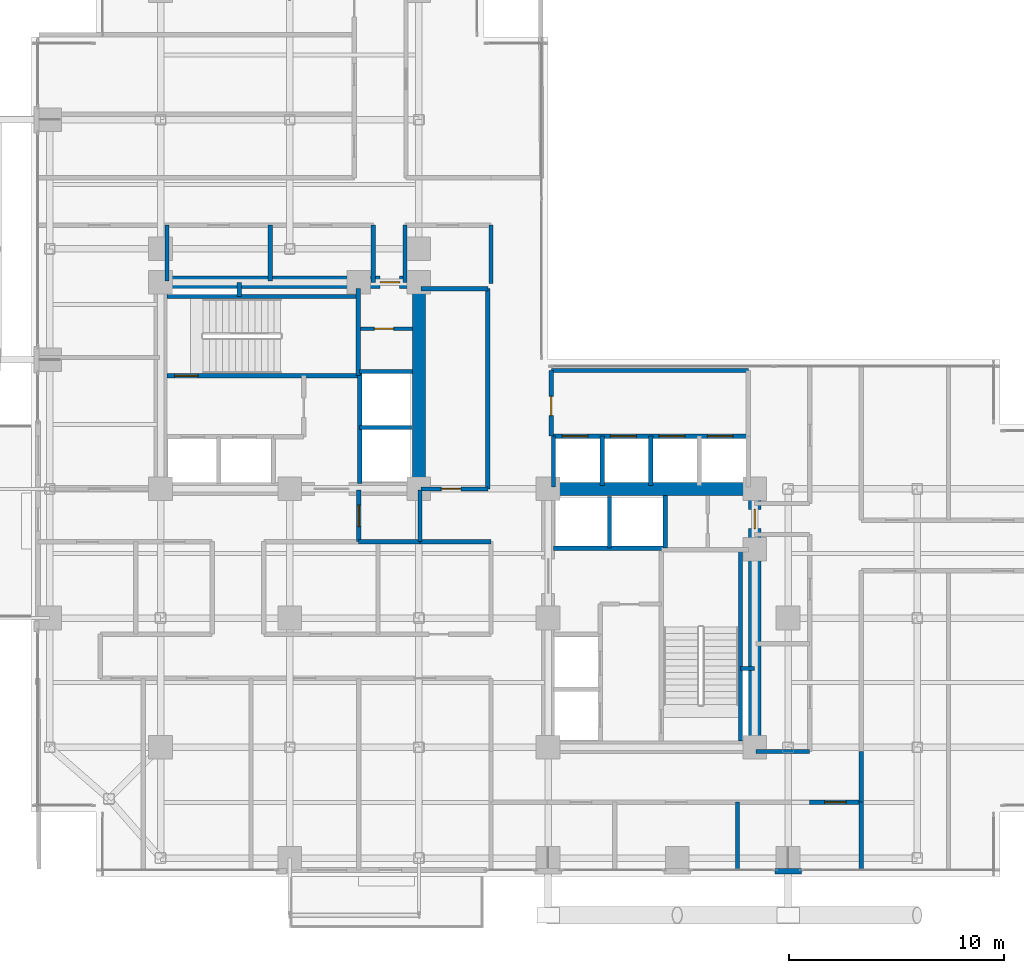
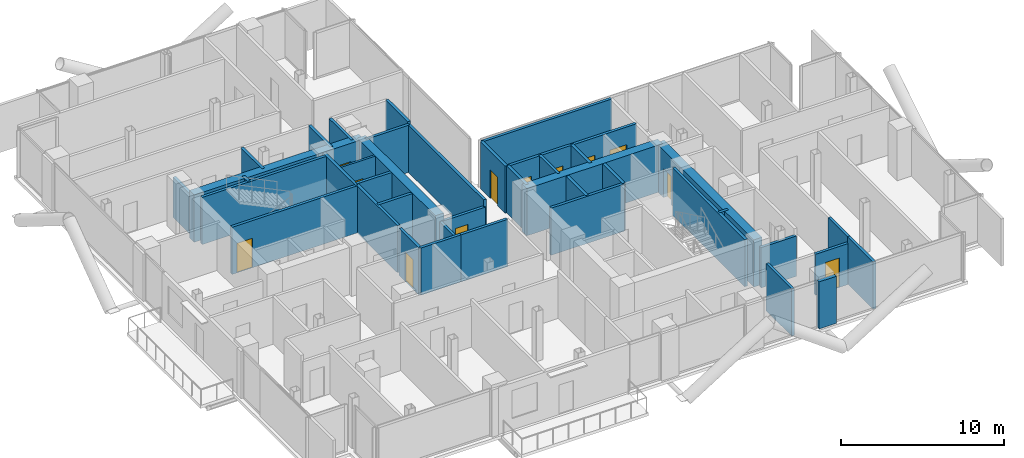
# One storey, part 20 of 24: 41 walls, 12 doors, 12 openings.
"""IFC4 building model written with IfcOpenShell, lengths in metres."""

from ifc_helpers import new_model, si_unit, direction, frame, frame_2d, origin, place, context, subcontext, project, spatial, rectangle, extrude, material, layer, layer_set, type_object, element, fill, save


model = new_model("IFC4")

# Units and contexts
model_context = context("Model", 3, precision=1e-05, world=origin(), true_north=direction((0.0, 1.0)))
body_context = subcontext(model_context, "Body", "Model", "MODEL_VIEW")
ifc_project = project(units=[si_unit("LENGTHUNIT", "METRE"), si_unit("AREAUNIT", "SQUARE_METRE"), si_unit("VOLUMEUNIT", "CUBIC_METRE"), si_unit("PLANEANGLEUNIT", "RADIAN"), si_unit("MASSUNIT", "GRAM", prefix="KILO"), si_unit("THERMODYNAMICTEMPERATUREUNIT", "KELVIN"), si_unit("POWERUNIT", "WATT")], contexts=[model_context])

# Site, building, storey
site_placement = place(None, origin())
site = spatial("IfcSite", under=ifc_project, at=site_placement, CompositionType="ELEMENT")
building_placement = place(site_placement, origin())
building = spatial("IfcBuilding", under=site, at=building_placement, Name="Svarakhadi Broadcast Tower", CompositionType="ELEMENT")
storey_placement = place(building_placement, frame((0.0, 0.0, 115.64990234375)))
storey = spatial("IfcBuildingStorey", under=building, at=storey_placement, Name="L27", CompositionType="ELEMENT", Elevation=115.64990234375)

# Walls
ifc_material_1 = material(Name="Double-Stud Acoustic Studio Partition STC-62", Category="gypsum")
ifc_layer_1 = layer(ifc_material_1, 0.199951171875)
ifc_layer_set_1 = layer_set([ifc_layer_1], Name="Double-Stud Acoustic Studio Partition STC-62")
wall_type_1 = type_object("IfcWallType", Name="Wall_Acoust_200", PredefinedType="PARTITIONING", material=ifc_layer_set_1)
for number, where, z_axis, x_axis, name in (
    (1, (32.800048828125, 0.300048828125, 0.0), (0.0, 0.0, 1.0), (0.0, 1.0, 0.0), "L27 Client Preview Briefing Room Wall"),
    (2, (38.550048828125, 0.300048828125, 0.0), (0.0, 0.0, 1.0), (0.0, 1.0, 0.0), "L27 Artisanal Espresso Bar Wall"),
):
    element("IfcWall", number, at=place(storey_placement, frame(where, z_axis=z_axis, x_axis=x_axis)), inside=storey, type_object=wall_type_1, Name=name, PredefinedType="PARTITIONING", context=body_context, shape_type="SweptSolid", body=[
        extrude(rectangle(XDim=3.14990234375, YDim=0.199951171875, at=frame_2d((1.574951171875, 0.0))), origin(), (0.0, 0.0, 1.0), 3.525146484375),
    ])
wall_1_placement = place(storey_placement, frame((6.300048828125, 27.64990234375, 0.0), z_axis=(0.0, 0.0, 1.0), x_axis=(0.0, 1.0, 0.0)))
element("IfcWall", 3, at=wall_1_placement, inside=storey, type_object=wall_type_1, Name="L27 Acoustic Dubbing Booth Wall", PredefinedType="PARTITIONING", context=body_context, shape_type="SweptSolid", body=[
    extrude(rectangle(XDim=2.60009765625, YDim=0.199951171875, at=frame_2d((1.300048828125, 0.0))), origin(), (0.0, 0.0, 1.0), 3.01708984375),
])
wall_2_placement = place(storey_placement, frame((11.10009765625, 27.64990234375, 0.0), z_axis=(0.0, 0.0, 1.0), x_axis=(0.0, 1.0, 0.0)))
element("IfcWall", 4, at=wall_2_placement, inside=storey, type_object=wall_type_1, Name="L27 Acoustic Dubbing Booth Wall", PredefinedType="PARTITIONING", context=body_context, shape_type="SweptSolid", body=[
    extrude(rectangle(XDim=2.60009765625, YDim=0.199951171875, at=frame_2d((1.300048828125, 0.0))), origin(), (0.0, 0.0, 1.0), 3.525146484375),
])
wall_3_placement = place(storey_placement, frame((33.64990234375, 5.800048828125, 0.0), z_axis=(0.0, 0.0, 1.0), x_axis=(1.0, 0.0, 0.0)))
element("IfcWall", 5, at=wall_3_placement, inside=storey, type_object=wall_type_1, Name="L27 Media Playout Monitoring Office Wall", PredefinedType="PARTITIONING", context=body_context, shape_type="SweptSolid", body=[
    extrude(rectangle(XDim=2.5, YDim=0.199951171875, at=frame_2d((1.25, 0.0))), origin(), (0.0, 0.0, 1.0), 3.01708984375),
])
wall_4_placement = place(storey_placement, frame((21.35009765625, 27.550048828125, 0.0), z_axis=(0.0, 0.0, 1.0), x_axis=(0.0, 1.0, 0.0)))
element("IfcWall", 6, at=wall_4_placement, inside=storey, type_object=wall_type_1, Name="L27 Media Continuity Study Wall", PredefinedType="PARTITIONING", context=body_context, shape_type="SweptSolid", body=[
    extrude(rectangle(XDim=2.699951171875, YDim=0.199951171875, at=frame_2d((1.35009765625, 0.0))), origin(), (0.0, 0.0, 1.0), 3.525146484375),
])
wall_5_placement = place(storey_placement, frame((15.199951171875, 15.550048828125, 0.0), z_axis=(0.0, 0.0, 1.0), x_axis=(1.0, 0.0, 0.0)))
element("IfcWall", 7, at=wall_5_placement, inside=storey, type_object=wall_type_1, Name="L27 Executive Review Pod Wall", PredefinedType="PARTITIONING", context=body_context, shape_type="SweptSolid", body=[
    extrude(rectangle(XDim=2.85009765625, YDim=0.199951171875, at=frame_2d((1.425048828125, 0.0))), origin(), (0.0, 0.0, 1.0), 3.525146484375),
])
ifc_material_2 = material(Name="Concrete C40/50 (IS 456 M50)", Category="concrete")
ifc_layer_2 = layer(ifc_material_2, 0.239990234375)
ifc_layer_set_2 = layer_set([ifc_layer_2], Name="Concrete C40/50 (IS 456 M50)")
wall_type_2 = type_object("IfcWallType", Name="Wall_Ext_240", PredefinedType="SOLIDWALL", material=ifc_layer_set_2)
wall_6_placement = place(storey_placement, frame((35.764892578125, 0.239990234375, 0.0), z_axis=(0.0, 0.0, 1.0), x_axis=(-1.0, 0.0, 0.0)))
element("IfcWall", 8, at=wall_6_placement, inside=storey, type_object=wall_type_2, Name="L27 Perimeter Bronze Spandrel Closure Wall 07", PredefinedType="SOLIDWALL", context=body_context, shape_type="SweptSolid", body=[
    extrude(rectangle(XDim=1.22998046875, YDim=0.239990234375, at=frame_2d((0.614990234375, 0.0))), origin(), (0.0, 0.0, 1.0), 3.525146484375),
])
ifc_layer_3 = layer(ifc_material_2, 0.199951171875)
ifc_layer_set_3 = layer_set([ifc_layer_3], Name="Concrete C40/50 (IS 456 M50)")
wall_type_3 = type_object("IfcWallType", Name="Wall_Fire_200", PredefinedType="SOLIDWALL", material=ifc_layer_set_3)
for number, where, z_axis, x_axis, name in (
    (9, (9.659912109375, 26.93994140625, 0.0), (0.0, 0.0, 1.0), (0.0, 1.0, 0.0), "L27 Wet Riser Shaft East Wall"),
    (10, (32.93994140625, 9.659912109375, 0.0), (0.0, 0.0, 1.0), (1.0, 0.0, 0.0), "L27 HV Busduct Riser Shaft North Wall"),
):
    element("IfcWall", number, at=place(storey_placement, frame(where, z_axis=z_axis, x_axis=x_axis)), inside=storey, type_object=wall_type_3, Name=name, PredefinedType="SOLIDWALL", context=body_context, shape_type="SweptSolid", body=[
        extrude(rectangle(XDim=0.64013671875, YDim=0.199951171875, at=frame_2d((0.320068359375, 0.0))), origin(), (0.0, 0.0, 1.0), 3.525146484375),
    ])

# Wall, opening, door
wall_7_placement = place(storey_placement, frame((18.10009765625, 18.0, 0.0), z_axis=(0.0, 0.0, 1.0), x_axis=(1.0, 0.0, 0.0)))
wall_7 = element("IfcWall", 11, at=wall_7_placement, inside=storey, type_object=wall_type_3, Name="L27 Bank A Motor Room South Wall", PredefinedType="SOLIDWALL", context=body_context, shape_type="SweptSolid", body=[
    extrude(rectangle(XDim=3.099853515625, YDim=0.199951171875, at=frame_2d((1.5498046875, 0.0))), origin(), (0.0, 0.0, 1.0), 3.01708984375),
])
opening_1_placement = place(wall_7_placement, frame((0.949951171875, 0.0, 0.0)))
opening_1 = element("IfcOpeningElement", 12, at=opening_1_placement, cuts=wall_7, Name="Opening D-04", PredefinedType="OPENING", context=body_context, shape_type="SweptSolid", body=[
    extrude(rectangle(XDim=0.89990234375, YDim=2.14990234375, at=frame_2d((0.449951171875, 1.074951171875))), frame((0.0, 0.10986328125, 0.0), z_axis=(0.0, -1.0, 0.0), x_axis=(1.0, 0.0, 0.0)), (0.0, 0.0, 1.0), 0.219970703125),
])
ifc_material_3 = material(Name="Galvanised Powder-Coated Fire-Rated Steel Leaf", Category="steel")
door_type_1 = type_object("IfcDoorType", Name="Door_Fire_D04", OperationType="SINGLE_SWING_RIGHT", PredefinedType="DOOR", material=ifc_material_3)
door_1_placement = place(opening_1_placement, origin())
door_1 = element("IfcDoor", 13, at=door_1_placement, inside=storey, type_object=door_type_1, Name="L27 Bank A Lift Motor Room Door", OperationType="SINGLE_SWING_RIGHT", OverallHeight=2.14990234375, OverallWidth=0.89990234375, PredefinedType="DOOR", context=body_context, shape_type="SweptSolid", body=[
    extrude(rectangle(XDim=0.89990234375, YDim=2.14990234375, at=frame_2d((0.449951171875, 1.074951171875))), frame((0.0, 0.02490234375, 0.0), z_axis=(0.0, -1.0, 0.0), x_axis=(1.0, 0.0, 0.0)), (0.0, 0.0, 1.0), 0.050048828125),
])
fill(opening_1, door_1)

# Walls
wall_8_placement = place(storey_placement, frame((21.199951171875, 18.0, 0.0), z_axis=(0.0, 0.0, 1.0), x_axis=(0.0, 1.0, 0.0)))
element("IfcWall", 14, at=wall_8_placement, inside=storey, type_object=wall_type_3, Name="L27 Bank A Motor Room East Wall", PredefinedType="SOLIDWALL", context=body_context, shape_type="SweptSolid", body=[
    extrude(rectangle(XDim=9.300048828125, YDim=0.199951171875, at=frame_2d((4.64990234375, 0.0))), origin(), (0.0, 0.0, 1.0), 3.525146484375),
])
wall_9_placement = place(storey_placement, frame((18.10009765625, 27.300048828125, 0.0), z_axis=(0.0, 0.0, 1.0), x_axis=(1.0, 0.0, 0.0)))
element("IfcWall", 15, at=wall_9_placement, inside=storey, type_object=wall_type_3, Name="L27 Bank A Motor Room North Wall", PredefinedType="SOLIDWALL", context=body_context, shape_type="SweptSolid", body=[
    extrude(rectangle(XDim=3.099853515625, YDim=0.199951171875, at=frame_2d((1.5498046875, 0.0))), origin(), (0.0, 0.0, 1.0), 3.525146484375),
])

# Wall, opening, door
wall_10_placement = place(storey_placement, frame((15.199951171875, 17.949951171875, 0.0), z_axis=(0.0, 0.0, 1.0), x_axis=(0.0, -1.0, 0.0)))
wall_10 = element("IfcWall", 16, at=wall_10_placement, inside=storey, type_object=wall_type_3, Name="L27 Zone 2/3 Corridor Wall", PredefinedType="SOLIDWALL", context=body_context, shape_type="SweptSolid", body=[
    extrude(rectangle(XDim=2.39990234375, YDim=0.199951171875, at=frame_2d((1.199951171875, 0.0))), origin(), (0.0, 0.0, 1.0), 3.525146484375),
])
opening_2_placement = place(wall_10_placement, frame((0.699951171875, 0.0, 0.0)))
opening_2 = element("IfcOpeningElement", 17, at=opening_2_placement, cuts=wall_10, Name="Opening D-08", PredefinedType="OPENING", context=body_context, shape_type="SweptSolid", body=[
    extrude(rectangle(XDim=1.0, YDim=2.199951171875, at=frame_2d((0.5, 1.10009765625))), frame((0.0, 0.10986328125, 0.0), z_axis=(0.0, -1.0, 0.0), x_axis=(1.0, 0.0, 0.0)), (0.0, 0.0, 1.0), 0.219970703125),
])
ifc_material_4 = material(Name="Solid-Core Teak Veneer Acoustic Timber Leaf", Category="wood")
door_type_2 = type_object("IfcDoorType", Name="Door_Suite_D08", OperationType="SINGLE_SWING_LEFT", PredefinedType="DOOR", material=ifc_material_4)
door_2_placement = place(opening_2_placement, origin())
door_2 = element("IfcDoor", 18, at=door_2_placement, inside=storey, type_object=door_type_2, Name="L27 Executive Review Pod Door", OperationType="SINGLE_SWING_LEFT", OverallHeight=2.199951171875, OverallWidth=1.0, PredefinedType="DOOR", context=body_context, shape_type="SweptSolid", body=[
    extrude(rectangle(XDim=1.0, YDim=2.199951171875, at=frame_2d((0.5, 1.10009765625))), frame((0.0, 0.02490234375, 0.0), z_axis=(0.0, -1.0, 0.0), x_axis=(1.0, 0.0, 0.0)), (0.0, 0.0, 1.0), 0.050048828125),
])
fill(opening_2, door_2)

# Walls
wall_11_placement = place(storey_placement, frame((21.35009765625, 15.550048828125, 0.0), z_axis=(0.0, 0.0, 1.0), x_axis=(-1.0, 0.0, 0.0)))
element("IfcWall", 19, at=wall_11_placement, inside=storey, type_object=wall_type_3, Name="L27 Zone 2/3 Corridor Wall", PredefinedType="SOLIDWALL", context=body_context, shape_type="SweptSolid", body=[
    extrude(rectangle(XDim=3.300048828125, YDim=0.199951171875, at=frame_2d((1.64990234375, 0.0))), origin(), (0.0, 0.0, 1.0), 3.525146484375),
])
wall_12_placement = place(storey_placement, frame((18.050048828125, 15.550048828125, 0.0), z_axis=(0.0, 0.0, 1.0), x_axis=(0.0, 1.0, 0.0)))
element("IfcWall", 20, at=wall_12_placement, inside=storey, type_object=wall_type_3, Name="L27 Zone 2/3 Corridor Wall", PredefinedType="SOLIDWALL", context=body_context, shape_type="SweptSolid", body=[
    extrude(rectangle(XDim=2.409912109375, YDim=0.199951171875, at=frame_2d((1.205078125, 0.0))), origin(), (0.0, 0.0, 1.0), 3.01708984375),
])
for number, where, z_axis, x_axis, name in (
    (21, (17.35009765625, 30.25, 0.0), (0.0, 0.0, 1.0), (0.0, -1.0, 0.0), "L27 Zone 2/3 Corridor Wall"),
    (22, (15.8798828125, 27.580078125, 0.0), (0.0, 0.0, 1.0), (0.0, 1.0, 0.0), "L27 Zone 2/3 Corridor Wall"),
):
    element("IfcWall", number, at=place(storey_placement, frame(where, z_axis=z_axis, x_axis=x_axis)), inside=storey, type_object=wall_type_3, Name=name, PredefinedType="SOLIDWALL", context=body_context, shape_type="SweptSolid", body=[
        extrude(rectangle(XDim=2.669921875, YDim=0.199951171875, at=frame_2d((1.3349609375, 0.0))), origin(), (0.0, 0.0, 1.0), 3.525146484375),
    ])
wall_13_placement = place(storey_placement, frame((38.550048828125, 5.800048828125, 0.0), z_axis=(0.0, 0.0, 1.0), x_axis=(0.0, -1.0, 0.0)))
element("IfcWall", 23, at=wall_13_placement, inside=storey, type_object=wall_type_3, Name="L27 Zone 2/3 Corridor Wall", PredefinedType="SOLIDWALL", context=body_context, shape_type="SweptSolid", body=[
    extrude(rectangle(XDim=2.35009765625, YDim=0.199951171875, at=frame_2d((1.175048828125, 0.0))), origin(), (0.0, 0.0, 1.0), 3.525146484375),
])

# Wall, opening, door
wall_14_placement = place(storey_placement, frame((38.550048828125, 3.449951171875, 0.0), z_axis=(0.0, 0.0, 1.0), x_axis=(-1.0, 0.0, 0.0)))
wall_14 = element("IfcWall", 24, at=wall_14_placement, inside=storey, type_object=wall_type_3, Name="L27 Zone 2/3 Corridor Wall", PredefinedType="SOLIDWALL", context=body_context, shape_type="SweptSolid", body=[
    extrude(rectangle(XDim=2.400146484375, YDim=0.199951171875, at=frame_2d((1.2001953125, 0.0))), origin(), (0.0, 0.0, 1.0), 3.067138671875),
])
opening_3_placement = place(wall_14_placement, frame((0.699951171875, 0.0, 0.0)))
opening_3 = element("IfcOpeningElement", 25, at=opening_3_placement, cuts=wall_14, Name="Opening D-08", PredefinedType="OPENING", context=body_context, shape_type="SweptSolid", body=[
    extrude(rectangle(XDim=1.0, YDim=2.199951171875, at=frame_2d((0.5, 1.10009765625))), frame((0.0, 0.10986328125, 0.0), z_axis=(0.0, -1.0, 0.0), x_axis=(1.0, 0.0, 0.0)), (0.0, 0.0, 1.0), 0.219970703125),
])
door_3_placement = place(opening_3_placement, origin())
door_3 = element("IfcDoor", 26, at=door_3_placement, inside=storey, type_object=door_type_2, Name="L27 Artisanal Espresso Bar Door", OperationType="SINGLE_SWING_LEFT", OverallHeight=2.199951171875, OverallWidth=1.0, PredefinedType="DOOR", context=body_context, shape_type="SweptSolid", body=[
    extrude(rectangle(XDim=1.0, YDim=2.199951171875, at=frame_2d((0.5, 1.10009765625))), frame((0.0, 0.02490234375, 0.0), z_axis=(0.0, -1.0, 0.0), x_axis=(1.0, 0.0, 0.0)), (0.0, 0.0, 1.0), 0.050048828125),
])
fill(opening_3, door_3)

ifc_material_5 = material(Name="Autoclaved Aerated Concrete Blockwork 150 mm", Category="masonry")
ifc_layer_4 = layer(ifc_material_5, 0.14990234375)
ifc_layer_set_4 = layer_set([ifc_layer_4], Name="Autoclaved Aerated Concrete Blockwork 150 mm")
wall_type_4 = type_object("IfcWallType", Name="Wall_Part_150", PredefinedType="PARTITIONING", material=ifc_layer_set_4)
wall_15_placement = place(storey_placement, frame((15.280029296875, 25.43994140625, 0.0), z_axis=(0.0, 0.0, 1.0), x_axis=(1.0, 0.0, 0.0)))
wall_15 = element("IfcWall", 27, at=wall_15_placement, inside=storey, type_object=wall_type_4, Name="L27 West Core Dual Store Wall", PredefinedType="PARTITIONING", context=body_context, shape_type="SweptSolid", body=[
    extrude(rectangle(XDim=2.419921875, YDim=0.14990234375, at=frame_2d((1.2099609375, 0.0))), origin(), (0.0, 0.0, 1.0), 3.525146484375),
])
opening_4_placement = place(wall_15_placement, frame((0.64990234375, 0.0, 0.0)))
opening_4 = element("IfcOpeningElement", 28, at=opening_4_placement, cuts=wall_15, Name="Opening D-03", PredefinedType="OPENING", context=body_context, shape_type="SweptSolid", body=[
    extrude(rectangle(XDim=0.89990234375, YDim=2.14990234375, at=frame_2d((0.449951171875, 1.074951171875))), frame((0.0, 0.0849609375, 0.0), z_axis=(0.0, -1.0, 0.0), x_axis=(1.0, 0.0, 0.0)), (0.0, 0.0, 1.0), 0.169921875),
])
door_type_3 = type_object("IfcDoorType", Name="Door_Fire_D03", OperationType="SINGLE_SWING_LEFT", PredefinedType="DOOR", material=ifc_material_3)
door_4_placement = place(opening_4_placement, origin())
door_4 = element("IfcDoor", 29, at=door_4_placement, inside=storey, type_object=door_type_3, Name="L27 West Core Store B Door", OperationType="SINGLE_SWING_LEFT", OverallHeight=2.14990234375, OverallWidth=0.89990234375, PredefinedType="DOOR", context=body_context, shape_type="SweptSolid", body=[
    extrude(rectangle(XDim=0.89990234375, YDim=2.14990234375, at=frame_2d((0.449951171875, 1.074951171875))), frame((0.0, 0.02490234375, 0.0), z_axis=(0.0, -1.0, 0.0), x_axis=(1.0, 0.0, 0.0)), (0.0, 0.0, 1.0), 0.050048828125),
])
fill(opening_4, door_4)

ifc_material_6 = material(Name="Concrete C50/60 (IS 456 M60)", Category="concrete")
ifc_layer_5 = layer(ifc_material_6, 0.199951171875)
ifc_layer_set_5 = layer_set([ifc_layer_5], Name="Concrete C50/60 (IS 456 M60)")
wall_type_5 = type_object("IfcWallType", Name="Wall_Shear_200", PredefinedType="SHEAR", material=ifc_layer_set_5)
wall_16_placement = place(storey_placement, frame((6.300048828125, 23.260009765625, 0.0), z_axis=(0.0, 0.0, 1.0), x_axis=(1.0, 0.0, 0.0)))
wall_16 = element("IfcWall", 30, at=wall_16_placement, inside=storey, type_object=wall_type_5, Name="L27 Stair ST-01 South RC Shaft Wall", PredefinedType="SHEAR", context=body_context, shape_type="SweptSolid", body=[
    extrude(rectangle(XDim=8.8798828125, YDim=0.199951171875, at=frame_2d((4.43994140625, 0.0))), origin(), (0.0, 0.0, 1.0), 3.525146484375),
])
opening_5_placement = place(wall_16_placement, frame((0.35009765625, 0.0, 0.0)))
opening_5 = element("IfcOpeningElement", 31, at=opening_5_placement, cuts=wall_16, Name="Opening D-01", PredefinedType="OPENING", context=body_context, shape_type="SweptSolid", body=[
    extrude(rectangle(XDim=1.10009765625, YDim=2.199951171875, at=frame_2d((0.550048828125, 1.10009765625))), frame((0.0, 0.10986328125, 0.0), z_axis=(0.0, -1.0, 0.0), x_axis=(1.0, 0.0, 0.0)), (0.0, 0.0, 1.0), 0.219970703125),
])
door_type_4 = type_object("IfcDoorType", Name="Door_Stair_D01", OperationType="SINGLE_SWING_LEFT", PredefinedType="DOOR", material=ifc_material_3)
door_5_placement = place(opening_5_placement, origin())
door_5 = element("IfcDoor", 32, at=door_5_placement, inside=storey, type_object=door_type_4, Name="L27 Protected Exit Stair ST-01 Fire Door", OperationType="SINGLE_SWING_LEFT", OverallHeight=2.199951171875, OverallWidth=1.10009765625, PredefinedType="DOOR", context=body_context, shape_type="SweptSolid", body=[
    extrude(rectangle(XDim=1.10009765625, YDim=2.199951171875, at=frame_2d((0.550048828125, 1.10009765625))), frame((0.0, 0.02490234375, 0.0), z_axis=(0.0, -1.0, 0.0), x_axis=(1.0, 0.0, 0.0)), (0.0, 0.0, 1.0), 0.050048828125),
])
fill(opening_5, door_5)

# Walls
wall_17_placement = place(storey_placement, frame((6.300048828125, 26.93994140625, 0.0), z_axis=(0.0, 0.0, 1.0), x_axis=(1.0, 0.0, 0.0)))
element("IfcWall", 33, at=wall_17_placement, inside=storey, type_object=wall_type_5, Name="L27 Stair ST-01 North RC Shaft Wall", PredefinedType="SHEAR", context=body_context, shape_type="SweptSolid", body=[
    extrude(rectangle(XDim=8.8798828125, YDim=0.199951171875, at=frame_2d((4.43994140625, 0.0))), origin(), (0.0, 0.0, 1.0), 3.525146484375),
])
wall_18_placement = place(storey_placement, frame((15.179931640625, 23.260009765625, 0.0), z_axis=(0.0, 0.0, 1.0), x_axis=(0.0, 1.0, 0.0)))
element("IfcWall", 34, at=wall_18_placement, inside=storey, type_object=wall_type_5, Name="L27 Stair ST-01 East RC Shaft Wall", PredefinedType="SHEAR", context=body_context, shape_type="SweptSolid", body=[
    extrude(rectangle(XDim=4.0400390625, YDim=0.199951171875, at=frame_2d((2.02001953125, 0.0))), origin(), (0.0, 0.0, 1.0), 3.525146484375),
])
wall_19_placement = place(storey_placement, frame((32.93994140625, 6.300048828125, 0.0), z_axis=(0.0, 0.0, 1.0), x_axis=(0.0, 1.0, 0.0)))
element("IfcWall", 35, at=wall_19_placement, inside=storey, type_object=wall_type_5, Name="L27 Stair ST-02 East RC Shaft Wall", PredefinedType="SHEAR", context=body_context, shape_type="SweptSolid", body=[
    extrude(rectangle(XDim=8.8798828125, YDim=0.199951171875, at=frame_2d((4.43994140625, 0.0))), origin(), (0.0, 0.0, 1.0), 3.525146484375),
])
wall_20_placement = place(storey_placement, frame((15.25, 18.25, 0.0), z_axis=(0.0, 0.0, 1.0), x_axis=(0.0, 1.0, 0.0)))
element("IfcWall", 36, at=wall_20_placement, inside=storey, type_object=wall_type_5, Name="L27 High-Rise Lift LF-13/14 West Shaft Wall", PredefinedType="SHEAR", context=body_context, shape_type="SweptSolid", body=[
    extrude(rectangle(XDim=5.199951171875, YDim=0.199951171875, at=frame_2d((2.60009765625, 0.0))), origin(), (0.0, 0.0, 1.0), 3.525146484375),
])
wall_21_placement = place(storey_placement, frame((15.25, 20.85009765625, 0.0), z_axis=(0.0, 0.0, 1.0), x_axis=(1.0, 0.0, 0.0)))
element("IfcWall", 37, at=wall_21_placement, inside=storey, type_object=wall_type_5, Name="L27 High-Rise Lift LF-13/14 Divider", PredefinedType="SHEAR", context=body_context, shape_type="SweptSolid", body=[
    extrude(rectangle(XDim=2.39990234375, YDim=0.199951171875, at=frame_2d((1.199951171875, 0.0))), origin(), (0.0, 0.0, 1.0), 3.525146484375),
])
wall_22_placement = place(storey_placement, frame((15.25, 23.449951171875, 0.0), z_axis=(0.0, 0.0, 1.0), x_axis=(1.0, 0.0, 0.0)))
element("IfcWall", 38, at=wall_22_placement, inside=storey, type_object=wall_type_5, Name="L27 High-Rise Lift LF-13/14 North Wall", PredefinedType="SHEAR", context=body_context, shape_type="SweptSolid", body=[
    extrude(rectangle(XDim=2.449951171875, YDim=0.199951171875, at=frame_2d((1.22509765625, 0.0))), origin(), (0.0, 0.0, 1.0), 3.525146484375),
])
wall_23_placement = place(storey_placement, frame((24.25, 15.25, 0.0), z_axis=(0.0, 0.0, 1.0), x_axis=(1.0, 0.0, 0.0)))
element("IfcWall", 39, at=wall_23_placement, inside=storey, type_object=wall_type_5, Name="L27 High-Rise Lift LF-15/16 South Shaft Wall", PredefinedType="SHEAR", context=body_context, shape_type="SweptSolid", body=[
    extrude(rectangle(XDim=5.199951171875, YDim=0.199951171875, at=frame_2d((2.60009765625, 0.0))), origin(), (0.0, 0.0, 1.0), 3.525146484375),
])
wall_24_placement = place(storey_placement, frame((26.85009765625, 15.25, 0.0), z_axis=(0.0, 0.0, 1.0), x_axis=(0.0, 1.0, 0.0)))
element("IfcWall", 40, at=wall_24_placement, inside=storey, type_object=wall_type_5, Name="L27 High-Rise Lift LF-15/16 Divider", PredefinedType="SHEAR", context=body_context, shape_type="SweptSolid", body=[
    extrude(rectangle(XDim=2.39990234375, YDim=0.199951171875, at=frame_2d((1.199951171875, 0.0))), origin(), (0.0, 0.0, 1.0), 3.525146484375),
])
wall_25_placement = place(storey_placement, frame((29.449951171875, 15.25, 0.0), z_axis=(0.0, 0.0, 1.0), x_axis=(0.0, 1.0, 0.0)))
element("IfcWall", 41, at=wall_25_placement, inside=storey, type_object=wall_type_5, Name="L27 High-Rise Lift LF-15/16 East Wall", PredefinedType="SHEAR", context=body_context, shape_type="SweptSolid", body=[
    extrude(rectangle(XDim=2.449951171875, YDim=0.199951171875, at=frame_2d((1.22509765625, 0.0))), origin(), (0.0, 0.0, 1.0), 3.525146484375),
])
wall_26_placement = place(storey_placement, frame((24.25, 18.10009765625, 0.0), z_axis=(0.0, 0.0, 1.0), x_axis=(0.0, 1.0, 0.0)))
element("IfcWall", 42, at=wall_26_placement, inside=storey, type_object=wall_type_5, Name="L27 Bank B West Shaft Wall", PredefinedType="SHEAR", context=body_context, shape_type="SweptSolid", body=[
    extrude(rectangle(XDim=2.349853515625, YDim=0.199951171875, at=frame_2d((1.1748046875, 0.0))), origin(), (0.0, 0.0, 1.0), 3.525146484375),
])

# Wall, openings, doors
wall_27_placement = place(storey_placement, frame((24.25, 20.449951171875, 0.0), z_axis=(0.0, 0.0, 1.0), x_axis=(1.0, 0.0, 0.0)))
wall_27 = element("IfcWall", 43, at=wall_27_placement, inside=storey, type_object=wall_type_5, Name="L27 Bank B North Landing Wall", PredefinedType="SHEAR", context=body_context, shape_type="SweptSolid", body=[
    extrude(rectangle(XDim=9.050048828125, YDim=0.199951171875, at=frame_2d((4.52490234375, 0.0))), origin(), (0.0, 0.0, 1.0), 3.525146484375),
])
opening_6_placement = place(wall_27_placement, frame((0.39990234375, 0.0, 0.0)))
opening_6 = element("IfcOpeningElement", 44, at=opening_6_placement, cuts=wall_27, Name="Opening LD-02", PredefinedType="OPENING", context=body_context, shape_type="SweptSolid", body=[
    extrude(rectangle(XDim=1.199951171875, YDim=2.199951171875, at=frame_2d((0.60009765625, 1.10009765625))), frame((0.0, 0.10986328125, 0.0), z_axis=(0.0, -1.0, 0.0), x_axis=(1.0, 0.0, 0.0)), (0.0, 0.0, 1.0), 0.219970703125),
])
opening_7_placement = place(wall_27_placement, frame((2.64990234375, 0.0, 0.0)))
opening_7 = element("IfcOpeningElement", 45, at=opening_7_placement, cuts=wall_27, Name="Opening LD-02", PredefinedType="OPENING", context=body_context, shape_type="SweptSolid", body=[
    extrude(rectangle(XDim=1.199951171875, YDim=2.199951171875, at=frame_2d((0.60009765625, 1.10009765625))), frame((0.0, 0.10986328125, 0.0), z_axis=(0.0, -1.0, 0.0), x_axis=(1.0, 0.0, 0.0)), (0.0, 0.0, 1.0), 0.219970703125),
])
opening_8_placement = place(wall_27_placement, frame((4.89990234375, 0.0, 0.0)))
opening_8 = element("IfcOpeningElement", 46, at=opening_8_placement, cuts=wall_27, Name="Opening LD-02", PredefinedType="OPENING", context=body_context, shape_type="SweptSolid", body=[
    extrude(rectangle(XDim=1.199951171875, YDim=2.199951171875, at=frame_2d((0.60009765625, 1.10009765625))), frame((0.0, 0.10986328125, 0.0), z_axis=(0.0, -1.0, 0.0), x_axis=(1.0, 0.0, 0.0)), (0.0, 0.0, 1.0), 0.219970703125),
])
opening_9_placement = place(wall_27_placement, frame((7.14990234375, 0.0, 0.0)))
opening_9 = element("IfcOpeningElement", 47, at=opening_9_placement, cuts=wall_27, Name="Opening LD-02", PredefinedType="OPENING", context=body_context, shape_type="SweptSolid", body=[
    extrude(rectangle(XDim=1.199951171875, YDim=2.199951171875, at=frame_2d((0.60009765625, 1.10009765625))), frame((0.0, 0.10986328125, 0.0), z_axis=(0.0, -1.0, 0.0), x_axis=(1.0, 0.0, 0.0)), (0.0, 0.0, 1.0), 0.219970703125),
])
door_type_5 = type_object("IfcDoorType", Name="Door_Lift_LD02", OperationType="SLIDING_TO_RIGHT", PredefinedType="DOOR", material=ifc_material_3)
door_6_placement = place(opening_6_placement, origin())
door_6 = element("IfcDoor", 48, at=door_6_placement, inside=storey, type_object=door_type_5, Name="L27 Mid-Rise Lift LF-09 Landing Door", OperationType="SLIDING_TO_RIGHT", OverallHeight=2.199951171875, OverallWidth=1.199951171875, PredefinedType="DOOR", context=body_context, shape_type="SweptSolid", body=[
    extrude(rectangle(XDim=1.199951171875, YDim=2.199951171875, at=frame_2d((0.60009765625, 1.10009765625))), frame((0.0, 0.02490234375, 0.0), z_axis=(0.0, -1.0, 0.0), x_axis=(1.0, 0.0, 0.0)), (0.0, 0.0, 1.0), 0.050048828125),
])
fill(opening_6, door_6)
door_7_placement = place(opening_7_placement, origin())
door_7 = element("IfcDoor", 49, at=door_7_placement, inside=storey, type_object=door_type_5, Name="L27 Mid-Rise Lift LF-10 Landing Door", OperationType="SLIDING_TO_RIGHT", OverallHeight=2.199951171875, OverallWidth=1.199951171875, PredefinedType="DOOR", context=body_context, shape_type="SweptSolid", body=[
    extrude(rectangle(XDim=1.199951171875, YDim=2.199951171875, at=frame_2d((0.60009765625, 1.10009765625))), frame((0.0, 0.02490234375, 0.0), z_axis=(0.0, -1.0, 0.0), x_axis=(1.0, 0.0, 0.0)), (0.0, 0.0, 1.0), 0.050048828125),
])
fill(opening_7, door_7)
door_8_placement = place(opening_8_placement, origin())
door_8 = element("IfcDoor", 50, at=door_8_placement, inside=storey, type_object=door_type_5, Name="L27 Mid-Rise Lift LF-11 Landing Door", OperationType="SLIDING_TO_RIGHT", OverallHeight=2.199951171875, OverallWidth=1.199951171875, PredefinedType="DOOR", context=body_context, shape_type="SweptSolid", body=[
    extrude(rectangle(XDim=1.199951171875, YDim=2.199951171875, at=frame_2d((0.60009765625, 1.10009765625))), frame((0.0, 0.02490234375, 0.0), z_axis=(0.0, -1.0, 0.0), x_axis=(1.0, 0.0, 0.0)), (0.0, 0.0, 1.0), 0.050048828125),
])
fill(opening_8, door_8)
door_9_placement = place(opening_9_placement, origin())
door_9 = element("IfcDoor", 51, at=door_9_placement, inside=storey, type_object=door_type_5, Name="L27 Mid-Rise Lift LF-12 Landing Door", OperationType="SLIDING_TO_RIGHT", OverallHeight=2.199951171875, OverallWidth=1.199951171875, PredefinedType="DOOR", context=body_context, shape_type="SweptSolid", body=[
    extrude(rectangle(XDim=1.199951171875, YDim=2.199951171875, at=frame_2d((0.60009765625, 1.10009765625))), frame((0.0, 0.02490234375, 0.0), z_axis=(0.0, -1.0, 0.0), x_axis=(1.0, 0.0, 0.0)), (0.0, 0.0, 1.0), 0.050048828125),
])
fill(opening_9, door_9)

# Walls
for number, where, z_axis, x_axis, name in (
    (52, (26.52001953125, 18.14990234375, 0.0), (0.0, 0.0, 1.0), (0.0, 1.0, 0.0), "L27 Bank B Divider"),
    (53, (28.77001953125, 18.14990234375, 0.0), (0.0, 0.0, 1.0), (0.0, 1.0, 0.0), "L27 Bank B Divider"),
):
    element("IfcWall", number, at=place(storey_placement, frame(where, z_axis=z_axis, x_axis=x_axis)), inside=storey, type_object=wall_type_5, Name=name, PredefinedType="SHEAR", context=body_context, shape_type="SweptSolid", body=[
        extrude(rectangle(XDim=2.300048828125, YDim=0.199951171875, at=frame_2d((1.14990234375, 0.0))), origin(), (0.0, 0.0, 1.0), 3.525146484375),
    ])
wall_28_placement = place(storey_placement, frame((24.14990234375, 23.5, 0.0), z_axis=(0.0, 0.0, 1.0), x_axis=(1.0, 0.0, 0.0)))
element("IfcWall", 54, at=wall_28_placement, inside=storey, type_object=wall_type_5, Name="L27 Bank B Lift Hall North Wall", PredefinedType="SHEAR", context=body_context, shape_type="SweptSolid", body=[
    extrude(rectangle(XDim=9.150146484375, YDim=0.199951171875, at=frame_2d((4.5751953125, 0.0))), origin(), (0.0, 0.0, 1.0), 3.525146484375),
])

# Wall, opening, door
wall_29_placement = place(storey_placement, frame((24.14990234375, 20.449951171875, 0.0), z_axis=(0.0, 0.0, 1.0), x_axis=(0.0, 1.0, 0.0)))
wall_29 = element("IfcWall", 55, at=wall_29_placement, inside=storey, type_object=wall_type_5, Name="L27 Bank B Lift Hall West Wall", PredefinedType="SHEAR", context=body_context, shape_type="SweptSolid", body=[
    extrude(rectangle(XDim=3.050048828125, YDim=0.199951171875, at=frame_2d((1.52490234375, 0.0))), origin(), (0.0, 0.0, 1.0), 3.525146484375),
])
opening_10_placement = place(wall_29_placement, frame((0.949951171875, 0.0, 0.0)))
opening_10 = element("IfcOpeningElement", 56, at=opening_10_placement, cuts=wall_29, Name="Opening D-04", PredefinedType="OPENING", context=body_context, shape_type="SweptSolid", body=[
    extrude(rectangle(XDim=0.89990234375, YDim=2.14990234375, at=frame_2d((0.449951171875, 1.074951171875))), frame((0.0, 0.10986328125, 0.0), z_axis=(0.0, -1.0, 0.0), x_axis=(1.0, 0.0, 0.0)), (0.0, 0.0, 1.0), 0.219970703125),
])
door_10_placement = place(opening_10_placement, origin())
door_10 = element("IfcDoor", 57, at=door_10_placement, inside=storey, type_object=door_type_1, Name="L27 Mid-Rise Lift Hall West Corridor Door", OperationType="SINGLE_SWING_RIGHT", OverallHeight=2.14990234375, OverallWidth=0.89990234375, PredefinedType="DOOR", context=body_context, shape_type="SweptSolid", body=[
    extrude(rectangle(XDim=0.89990234375, YDim=2.14990234375, at=frame_2d((0.449951171875, 1.074951171875))), frame((0.0, 0.02490234375, 0.0), z_axis=(0.0, -1.0, 0.0), x_axis=(1.0, 0.0, 0.0)), (0.0, 0.0, 1.0), 0.050048828125),
])
fill(opening_10, door_10)

ifc_material_7 = material(Name="Concrete C60/75 (IS 456 M70)", Category="concrete")
ifc_layer_6 = layer(ifc_material_7, 0.60009765625)
ifc_layer_set_6 = layer_set([ifc_layer_6], Name="Concrete C60/75 (IS 456 M70)")
wall_type_6 = type_object("IfcWallType", Name="Wall_Shear_600", PredefinedType="SHEAR", material=ifc_layer_set_6)
wall_30_placement = place(storey_placement, frame((6.0, 27.60009765625, 0.0), z_axis=(0.0, 0.0, 1.0), x_axis=(1.0, 0.0, 0.0)))
wall_30 = element("IfcWall", 58, at=wall_30_placement, inside=storey, type_object=wall_type_6, Name="L27 West Core North Shear Wall", PredefinedType="SHEAR", context=body_context, shape_type="SweptSolid", body=[
    extrude(rectangle(XDim=12.0, YDim=0.60009765625, at=frame_2d((6.0, 0.0))), origin(), (0.0, 0.0, 1.0), 3.525146484375),
])
opening_11_placement = place(wall_30_placement, frame((10.199951171875, 0.0, 0.0)))
opening_11 = element("IfcOpeningElement", 59, at=opening_11_placement, cuts=wall_30, Name="Opening D-04", PredefinedType="OPENING", context=body_context, shape_type="SweptSolid", body=[
    extrude(rectangle(XDim=0.89990234375, YDim=2.14990234375, at=frame_2d((0.449951171875, 1.074951171875))), frame((0.0, 0.31005859375, 0.0), z_axis=(0.0, -1.0, 0.0), x_axis=(1.0, 0.0, 0.0)), (0.0, 0.0, 1.0), 0.6201171875),
])
door_11_placement = place(opening_11_placement, origin())
door_11 = element("IfcDoor", 60, at=door_11_placement, inside=storey, type_object=door_type_1, Name="L27 West Core Store A Door", OperationType="SINGLE_SWING_RIGHT", OverallHeight=2.14990234375, OverallWidth=0.89990234375, PredefinedType="DOOR", context=body_context, shape_type="SweptSolid", body=[
    extrude(rectangle(XDim=0.89990234375, YDim=2.14990234375, at=frame_2d((0.449951171875, 1.074951171875))), frame((0.0, 0.02490234375, 0.0), z_axis=(0.0, -1.0, 0.0), x_axis=(1.0, 0.0, 0.0)), (0.0, 0.0, 1.0), 0.050048828125),
])
fill(opening_11, door_11)

# Walls
for number, where, z_axis, x_axis, name in (
    (61, (18.0, 18.0, 0.0), (0.0, 0.0, 1.0), (0.0, 1.0, 0.0), "L27 West Core East Shear Wall"),
    (62, (24.0, 18.0, 0.0), (0.0, 0.0, 1.0), (1.0, 0.0, 0.0), "L27 East Core North Shear Wall"),
):
    element("IfcWall", number, at=place(storey_placement, frame(where, z_axis=z_axis, x_axis=x_axis)), inside=storey, type_object=wall_type_6, Name=name, PredefinedType="SHEAR", context=body_context, shape_type="SweptSolid", body=[
        extrude(rectangle(XDim=9.60009765625, YDim=0.60009765625, at=frame_2d((4.800048828125, 0.0))), origin(), (0.0, 0.0, 1.0), 3.525146484375),
    ])

# Wall, opening, door
wall_31_placement = place(storey_placement, frame((33.60009765625, 6.0, 0.0), z_axis=(0.0, 0.0, 1.0), x_axis=(0.0, 1.0, 0.0)))
wall_31 = element("IfcWall", 63, at=wall_31_placement, inside=storey, type_object=wall_type_6, Name="L27 East Core East Shear Wall", PredefinedType="SHEAR", context=body_context, shape_type="SweptSolid", body=[
    extrude(rectangle(XDim=12.0, YDim=0.60009765625, at=frame_2d((6.0, 0.0))), origin(), (0.0, 0.0, 1.0), 3.525146484375),
])
opening_12_placement = place(wall_31_placement, frame((10.14990234375, 0.0, 0.0)))
opening_12 = element("IfcOpeningElement", 64, at=opening_12_placement, cuts=wall_31, Name="Opening D-04", PredefinedType="OPENING", context=body_context, shape_type="SweptSolid", body=[
    extrude(rectangle(XDim=0.89990234375, YDim=2.14990234375, at=frame_2d((0.449951171875, 1.074951171875))), frame((0.0, 0.31005859375, 0.0), z_axis=(0.0, -1.0, 0.0), x_axis=(1.0, 0.0, 0.0)), (0.0, 0.0, 1.0), 0.6201171875),
])
door_12_placement = place(opening_12_placement, origin())
door_12 = element("IfcDoor", 65, at=door_12_placement, inside=storey, type_object=door_type_1, Name="L27 East Core Store A Door", OperationType="SINGLE_SWING_RIGHT", OverallHeight=2.14990234375, OverallWidth=0.89990234375, PredefinedType="DOOR", context=body_context, shape_type="SweptSolid", body=[
    extrude(rectangle(XDim=0.89990234375, YDim=2.14990234375, at=frame_2d((0.449951171875, 1.074951171875))), frame((0.0, 0.02490234375, 0.0), z_axis=(0.0, -1.0, 0.0), x_axis=(1.0, 0.0, 0.0)), (0.0, 0.0, 1.0), 0.050048828125),
])
fill(opening_12, door_12)

save(model, "model.ifc")
